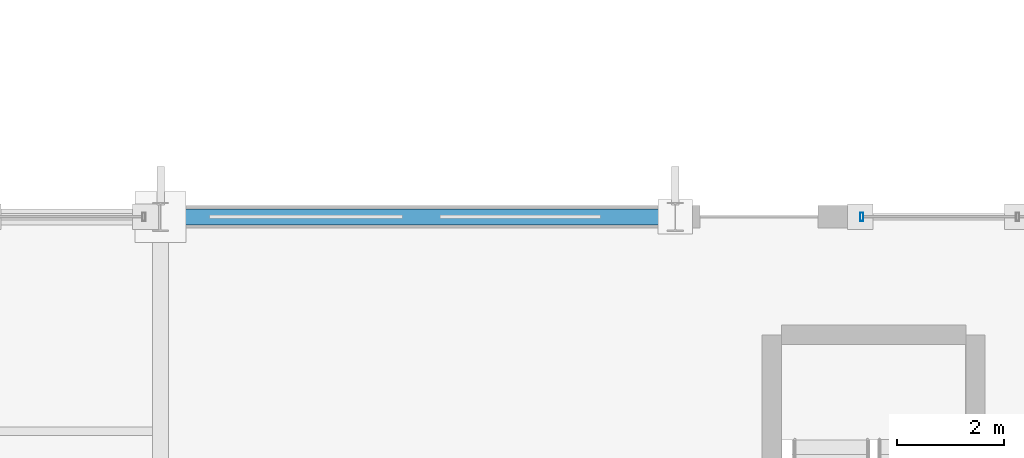
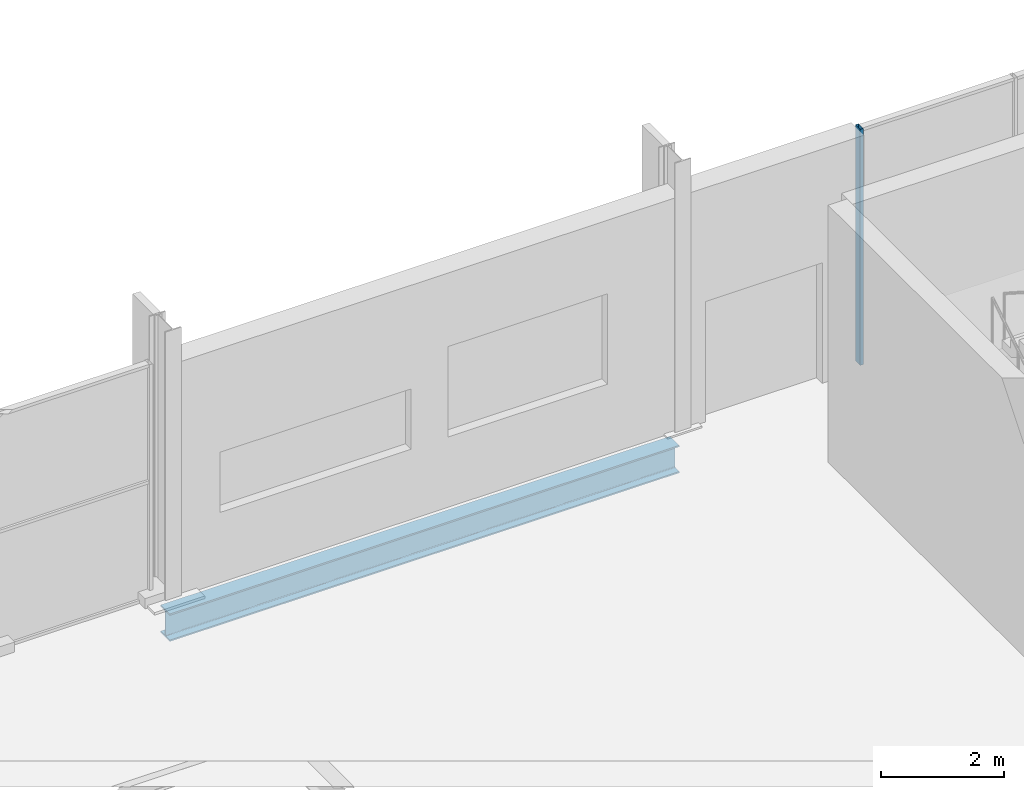
# One storey, part 107 of 196: 1 beam, 1 member, 1 element without a shape of its own.
"""IFC4 building model written with IfcOpenShell, lengths in metres."""

from ifc_helpers import new_model, si_unit, direction, frame, origin, origin_2d, place, context, subcontext, project, spatial, hollow_rectangle, i_section, extrude, material, material_profile, profile_set, type_object, element, aggregate, save


model = new_model("IFC4")

# Units and contexts
model_context = context("Model", 3, precision=1e-05, world=origin(), true_north=direction((0.0, 1.0)))
body_context = subcontext(model_context, "Body", "Model", "MODEL_VIEW")
ifc_project = project(units=[si_unit("LENGTHUNIT", "METRE"), si_unit("AREAUNIT", "SQUARE_METRE"), si_unit("VOLUMEUNIT", "CUBIC_METRE"), si_unit("PLANEANGLEUNIT", "RADIAN"), si_unit("MASSUNIT", "GRAM", prefix="KILO")], contexts=[model_context])

# Site, building, storey
site_placement = place(None, origin())
site = spatial("IfcSite", under=ifc_project, at=site_placement, CompositionType="ELEMENT")
building_placement = place(site_placement, origin())
building = spatial("IfcBuilding", under=site, at=building_placement, Name="Merenkruunu Market Hall", CompositionType="ELEMENT")
storey_placement = place(building_placement, origin())
storey = spatial("IfcBuildingStorey", under=building, at=storey_placement, Name="L00", CompositionType="ELEMENT", Elevation=0.0)

# Curtain wall, member
ifc_material_1 = material(Name="Powder-coated aluminium", Category="aluminium")
curtain_wall_type = type_object("IfcCurtainWallType", Name="Glazed Curtain Wall CW06", PredefinedType="USERDEFINED", material=ifc_material_1)
curtain_wall_placement = place(storey_placement, origin())
curtain_wall = element("IfcCurtainWall", 1, at=curtain_wall_placement, inside=storey, type_object=curtain_wall_type, Name="CW-L00-CWM01-056", ObjectType="GLAZED_FACADE", PredefinedType="USERDEFINED")
ifc_material_profile_1 = material_profile(ifc_material_1, hollow_rectangle(XDim=0.06005859375, YDim=0.159912109375, WallThickness=0.00390625, at=origin_2d()), Name="ALU 60x160x4")
ifc_profile_set_1 = profile_set([ifc_material_profile_1], Name="Powder-coated aluminium")
member_type = type_object("IfcMemberType", Name="Curtain Wall Mullion CWM01", PredefinedType="MULLION", material=ifc_profile_set_1)
member_placement = place(storey_placement, frame((22.679931640625, 111.60009765625, 0.0), z_axis=(0.0, 0.0, 1.0), x_axis=(1.0, 0.0, 0.0)))
member = element("IfcMember", 2, at=member_placement, type_object=member_type, Name="CW06 mullion 1", PredefinedType="MULLION", context=body_context, shape_type="SweptSolid", body=[
    extrude(hollow_rectangle(XDim=0.06005859375, YDim=0.159912109375, WallThickness=0.00390625, at=origin_2d()), origin(), (0.0, 0.0, 1.0), 4.699951171875),
])
aggregate(curtain_wall, [member])

# Beam
ifc_material_2 = material(Name="Steel S355J2", Category="steel")
ifc_material_profile_2 = material_profile(ifc_material_2, i_section(OverallWidth=0.300048828125, OverallDepth=0.550048828125, WebThickness=0.014892578125, FlangeThickness=0.029052734375, FilletRadius=0.027099609375, at=origin_2d()), Name="HEB 550")
ifc_profile_set_2 = profile_set([ifc_material_profile_2], Name="Steel S355J2")
beam_type = type_object("IfcBeamType", Name="Primary Floor Girder B02", PredefinedType="BEAM", material=ifc_profile_set_2)
beam_placement = place(storey_placement, frame((9.60009765625, 111.60009765625, -0.614990234375), z_axis=(1.0, 0.0, 0.0), x_axis=(0.0, 1.0, 0.0)))
element("IfcBeam", 3, at=beam_placement, inside=storey, type_object=beam_type, Name="BM-L00-B02-0129", PredefinedType="BEAM", context=body_context, shape_type="SweptSolid", body=[
    extrude(i_section(OverallWidth=0.300048828125, OverallDepth=0.550048828125, WebThickness=0.014892578125, FlangeThickness=0.029052734375, FilletRadius=0.027099609375, at=origin_2d()), origin(), (0.0, 0.0, 1.0), 9.599853515625),
])

save(model, "model.ifc")
